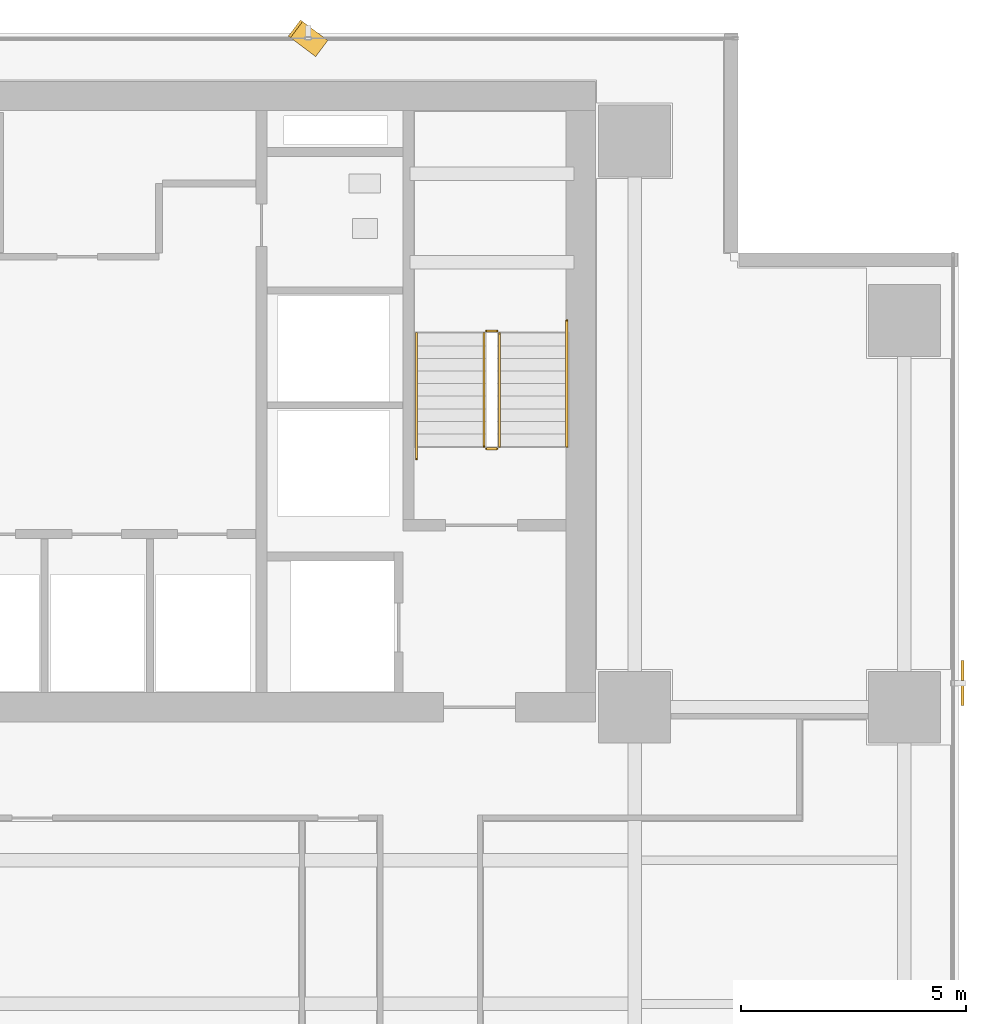
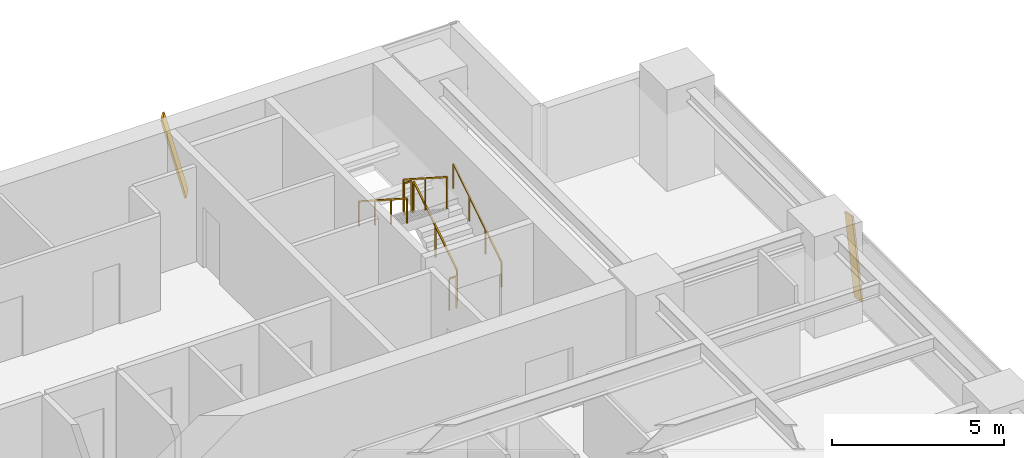
# One storey, part 26 of 27: 6 railings, 2 shading devices.
"""IFC4 building model written with IfcOpenShell, lengths in metres."""

from ifc_helpers import new_model, si_unit, direction, frame, origin, origin_2d, place, context, subcontext, project, spatial, rectangle, extrude, source, transform, mapped, material, material_profile, profile_set, type_object, element, save


model = new_model("IFC4")

# Units and contexts
model_context = context("Model", 3, precision=1e-05, world=origin(), true_north=direction((0.0, 1.0)))
body_context = subcontext(model_context, "Body", "Model", "MODEL_VIEW")
ifc_project = project(units=[si_unit("LENGTHUNIT", "METRE"), si_unit("AREAUNIT", "SQUARE_METRE"), si_unit("VOLUMEUNIT", "CUBIC_METRE"), si_unit("PLANEANGLEUNIT", "RADIAN"), si_unit("MASSUNIT", "GRAM", prefix="KILO")], contexts=[model_context])

# Site, building, storey
site_placement = place(None, origin())
site = spatial("IfcSite", under=ifc_project, at=site_placement, CompositionType="ELEMENT")
building_placement = place(site_placement, origin())
building = spatial("IfcBuilding", under=site, at=building_placement, Name="Sumidabori Civic Tower", CompositionType="ELEMENT")
storey_placement = place(building_placement, frame((0.0, 0.0, 138.800048828125)))
storey = spatial("IfcBuildingStorey", under=building, at=storey_placement, Name="L35", CompositionType="ELEMENT", Elevation=138.800048828125)

# Railings
ifc_material_1 = material(Name="Stainless Steel Hairline Finish", Category="steel")
railing_type_1 = type_object("IfcRailingType", Name="RL-HANDRAIL", PredefinedType="HANDRAIL", material=ifc_material_1)
railing_1_placement = place(storey_placement, frame((15.2900390625, 16.0, 0.179931640625)))
element("IfcRailing", 1, at=railing_1_placement, inside=storey, type_object=railing_type_1, Name="L35 ST-2 stair handrail 1", PredefinedType="HANDRAIL", context=body_context, shape_type="SweptSolid", body=[
    extrude(rectangle(XDim=0.048095703125, YDim=0.048095703125, at=origin_2d()), frame((0.0, 0.0, 0.8759765625), z_axis=(0.0, 0.840675598268, 0.541539046124), x_axis=(-1.0, 0.0, 0.0)), (0.0, 0.0, 1.0), 3.330810546875),
    extrude(rectangle(XDim=0.0419921875, YDim=0.0419921875, at=origin_2d()), origin(), (0.0, 0.0, 1.0), 0.851806640625),
    extrude(rectangle(XDim=0.0419921875, YDim=0.0419921875, at=origin_2d()), frame((0.0, 0.933349609375, 0.601318359375)), (0.0, 0.0, 1.0), 0.851806640625),
    extrude(rectangle(XDim=0.0419921875, YDim=0.0419921875, at=origin_2d()), frame((0.0, 1.86669921875, 1.202392578125)), (0.0, 0.0, 1.0), 0.851806640625),
    extrude(rectangle(XDim=0.0419921875, YDim=0.0419921875, at=origin_2d()), frame((0.0, 2.800048828125, 1.8037109375)), (0.0, 0.0, 1.0), 0.851806640625),
])
railing_2_placement = place(storey_placement, frame((11.949951171875, 18.52001953125, 1.97998046875)))
element("IfcRailing", 2, at=railing_2_placement, inside=storey, type_object=railing_type_1, Name="L35 ST-2 stair handrail 2", PredefinedType="HANDRAIL", context=body_context, shape_type="SweptSolid", body=[
    extrude(rectangle(XDim=0.048095703125, YDim=0.048095703125, at=origin_2d()), frame((0.0, 0.0, 0.8759765625), z_axis=(0.0, -0.840675598268, 0.541539046124), x_axis=(1.0, 0.0, 0.0)), (0.0, 0.0, 1.0), 3.330810546875),
    extrude(rectangle(XDim=0.0419921875, YDim=0.0419921875, at=origin_2d()), origin(), (0.0, 0.0, 1.0), 0.851806640625),
    extrude(rectangle(XDim=0.0419921875, YDim=0.0419921875, at=origin_2d()), frame((0.0, -0.933349609375, 0.601318359375)), (0.0, 0.0, 1.0), 0.851806640625),
    extrude(rectangle(XDim=0.0419921875, YDim=0.0419921875, at=origin_2d()), frame((0.0, -1.86669921875, 1.202392578125)), (0.0, 0.0, 1.0), 0.851806640625),
    extrude(rectangle(XDim=0.0419921875, YDim=0.0419921875, at=origin_2d()), frame((0.0, -2.800048828125, 1.8037109375)), (0.0, 0.0, 1.0), 0.851806640625),
])
ifc_material_2 = material(Name="Steel SN490", Category="steel")
railing_type_2 = type_object("IfcRailingType", Name="RL-STAIR-GUARD", PredefinedType="GUARDRAIL", material=ifc_material_2)
railing_3_placement = place(storey_placement, frame((13.7900390625, 16.0, 0.179931640625)))
element("IfcRailing", 3, at=railing_3_placement, inside=storey, type_object=railing_type_2, Name="L35 ST-2 stair guard 1", PredefinedType="GUARDRAIL", context=body_context, shape_type="SweptSolid", body=[
    extrude(rectangle(XDim=0.048095703125, YDim=0.048095703125, at=origin_2d()), frame((0.0, 0.0, 1.1259765625), z_axis=(0.0, 0.841162588446, 0.540782303519), x_axis=(-1.0, 0.0, 0.0)), (0.0, 0.0, 1.0), 2.995849609375),
    extrude(rectangle(XDim=0.0419921875, YDim=0.0419921875, at=origin_2d()), origin(), (0.0, 0.0, 1.0), 1.101806640625),
    extrude(rectangle(XDim=0.0419921875, YDim=0.0419921875, at=origin_2d()), frame((0.0, 1.260009765625, 0.81005859375)), (0.0, 0.0, 1.0), 1.101806640625),
    extrude(rectangle(XDim=0.0419921875, YDim=0.0419921875, at=origin_2d()), frame((0.0, 2.52001953125, 1.6201171875)), (0.0, 0.0, 1.0), 1.101806640625),
])
railing_4_placement = place(storey_placement, frame((13.739990234375, 18.570068359375, 1.800048828125)))
element("IfcRailing", 4, at=railing_4_placement, inside=storey, type_object=railing_type_2, Name="L35 ST-2 stair guard 2", PredefinedType="GUARDRAIL", context=body_context, shape_type="SweptSolid", body=[
    extrude(rectangle(XDim=0.048095703125, YDim=0.048095703125, at=origin_2d()), frame((0.0, 0.0, 1.1259765625), z_axis=(-1.0, 0.0, 0.0), x_axis=(0.0, -1.0, 0.0)), (0.0, 0.0, 1.0), 0.239990234375),
    extrude(rectangle(XDim=0.0419921875, YDim=0.0419921875, at=origin_2d()), origin(), (0.0, 0.0, 1.0), 1.101806640625),
    extrude(rectangle(XDim=0.0419921875, YDim=0.0419921875, at=origin_2d()), frame((-0.239990234375, 0.0, 0.0)), (0.0, 0.0, 1.0), 1.101806640625),
])
railing_5_placement = place(storey_placement, frame((13.449951171875, 18.52001953125, 1.97998046875)))
element("IfcRailing", 5, at=railing_5_placement, inside=storey, type_object=railing_type_2, Name="L35 ST-2 stair guard 3", PredefinedType="GUARDRAIL", context=body_context, shape_type="SweptSolid", body=[
    extrude(rectangle(XDim=0.048095703125, YDim=0.048095703125, at=origin_2d()), frame((0.0, 0.0, 1.1259765625), z_axis=(0.0, -0.841199657755, 0.540724639528), x_axis=(1.0, 0.0, 0.0)), (0.0, 0.0, 1.0), 2.995849609375),
    extrude(rectangle(XDim=0.0419921875, YDim=0.0419921875, at=origin_2d()), origin(), (0.0, 0.0, 1.0), 1.101806640625),
    extrude(rectangle(XDim=0.0419921875, YDim=0.0419921875, at=origin_2d()), frame((0.0, -1.260009765625, 0.81005859375)), (0.0, 0.0, 1.0), 1.101806640625),
    extrude(rectangle(XDim=0.0419921875, YDim=0.0419921875, at=origin_2d()), frame((0.0, -2.52001953125, 1.619873046875)), (0.0, 0.0, 1.0), 1.101806640625),
])
railing_6_placement = place(storey_placement, frame((13.739990234375, 15.949951171875, 0.0)))
element("IfcRailing", 6, at=railing_6_placement, inside=storey, type_object=railing_type_2, Name="L35 ST-2 stair guard 4", PredefinedType="GUARDRAIL", context=body_context, shape_type="SweptSolid", body=[
    extrude(rectangle(XDim=0.048095703125, YDim=0.048095703125, at=origin_2d()), frame((0.0, 0.0, 1.1259765625), z_axis=(-1.0, 0.0, 0.0), x_axis=(0.0, -1.0, 0.0)), (0.0, 0.0, 1.0), 0.239990234375),
    extrude(rectangle(XDim=0.0419921875, YDim=0.0419921875, at=origin_2d()), origin(), (0.0, 0.0, 1.0), 1.101806640625),
    extrude(rectangle(XDim=0.0419921875, YDim=0.0419921875, at=origin_2d()), frame((-0.239990234375, 0.0, 0.0)), (0.0, 0.0, 1.0), 1.101806640625),
])

# Shading devices
ifc_material_3 = material(Name="Anodised Bronze Aluminium AW-6063-T6", Category="aluminium")
ifc_material_profile = material_profile(ifc_material_3, rectangle(XDim=0.06005859375, YDim=0.449951171875, at=origin_2d()), Name="BRONZE FIN 450x60")
ifc_profile_set = profile_set([ifc_material_profile], Name="Anodised Bronze Aluminium AW-6063-T6")
shading_device_type = type_object("IfcShadingDeviceType", Name="SH-FIN-450", PredefinedType="USERDEFINED", material=ifc_profile_set)
shared_shape_1 = source(origin(), body_context, "Body", "SweptSolid", [
    extrude(rectangle(XDim=0.06005859375, YDim=0.449951171875, at=origin_2d()), origin(), (0.0, 0.0, 1.0), 2.789306640625),
])
shading_device_1_placement = place(storey_placement, frame((9.81494140625, 24.8701171875, 0.02001953125), z_axis=(-0.200794136335, 0.150551837182, 0.967995794998), x_axis=(0.774477654896, -0.580689436103, 0.250966413819)))
element("IfcShadingDevice", 7, at=shading_device_1_placement, inside=storey, type_object=shading_device_type, Name="Bronze Anodised Diagonal Fin L35-01", ObjectType="FIN", PredefinedType="USERDEFINED", context=body_context, shape_type="MappedRepresentation", body=[
    mapped(shared_shape_1, transform((0.0, 0.0, 0.0), x_axis=(1.0, 0.0, 0.0), y_axis=(0.0, 1.0, 0.0), z_axis=(0.0, 0.0, 1.0), scale=1.0)),
])
shared_shape_2 = source(origin(), body_context, "Body", "SweptSolid", [
    extrude(rectangle(XDim=0.06005859375, YDim=0.449951171875, at=origin_2d()), origin(), (0.0, 0.0, 1.0), 2.75732421875),
])
shading_device_2_placement = place(storey_placement, frame((24.090087890625, 10.455078125, 0.02001953125), z_axis=(0.0, 0.20302426177, 0.979173707333), x_axis=(-1.0, 0.0, 0.0)))
element("IfcShadingDevice", 8, at=shading_device_2_placement, inside=storey, type_object=shading_device_type, Name="Bronze Anodised Diagonal Fin L35-03", ObjectType="FIN", PredefinedType="USERDEFINED", context=body_context, shape_type="MappedRepresentation", body=[
    mapped(shared_shape_2, transform((0.0, 0.0, 0.0), x_axis=(1.0, 0.0, 0.0), y_axis=(0.0, 1.0, 0.0), z_axis=(0.0, 0.0, 1.0), scale=1.0)),
])

save(model, "model.ifc")
